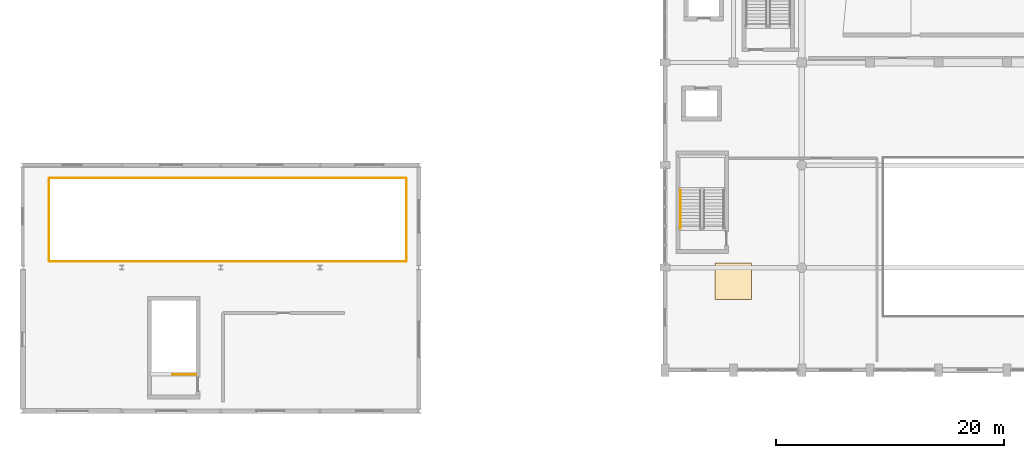
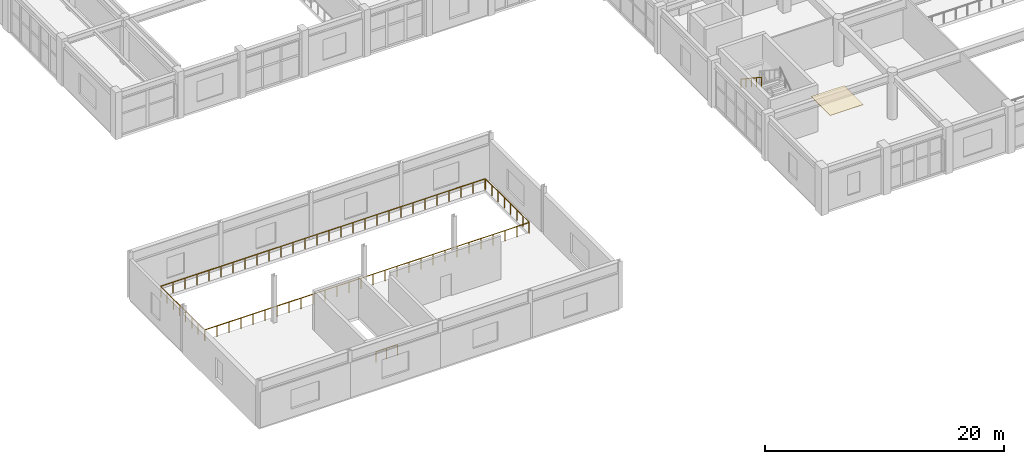
# One storey, part 83 of 96: 6 railings, 1 covering.
"""IFC4 building model written with IfcOpenShell, lengths in metres."""

from ifc_helpers import new_model, si_unit, direction, frame, origin, origin_2d, place, context, subcontext, project, spatial, polyline, circle, outline, extrude, material, layer, layer_set, type_object, element, save


model = new_model("IFC4")

# Units and contexts
model_context = context("Model", 3, precision=1e-05, world=origin(), true_north=direction((0.0, 1.0)))
body_context = subcontext(model_context, "Body", "Model", "MODEL_VIEW")
ifc_project = project(units=[si_unit("LENGTHUNIT", "METRE"), si_unit("AREAUNIT", "SQUARE_METRE"), si_unit("VOLUMEUNIT", "CUBIC_METRE"), si_unit("PLANEANGLEUNIT", "RADIAN"), si_unit("MASSUNIT", "GRAM", prefix="KILO")], contexts=[model_context])

# Site, building, storey
site_placement = place(None, origin())
site = spatial("IfcSite", under=ifc_project, at=site_placement, CompositionType="ELEMENT")
building_placement = place(site_placement, origin())
building = spatial("IfcBuilding", under=site, at=building_placement, Name="Vaelkrest Opera House", CompositionType="ELEMENT")
storey_placement = place(building_placement, frame((0.0, 0.0, 5.39990234375)))
storey = spatial("IfcBuildingStorey", under=building, at=storey_placement, Name="L01", CompositionType="ELEMENT", Elevation=5.39990234375)

# Covering
ifc_material_1 = material(Name="American black walnut acoustic timber", Category="wood")
ifc_layer = layer(ifc_material_1, 0.044921875)
ifc_layer_set = layer_set([ifc_layer], Name="American black walnut acoustic timber")
covering_type = type_object("IfcCoveringType", Name="COV-CLG01", PredefinedType="CEILING", material=ifc_layer_set)
covering_placement = place(storey_placement, frame((0.0, 0.0, 4.47021484375)))
element("IfcCovering", 1, at=covering_placement, inside=storey, type_object=covering_type, Name="Acoustic walnut ceiling reflector 05", PredefinedType="CEILING", context=body_context, shape_type="SweptSolid", body=[
    extrude(outline(polyline([(-25.60009765625, -49.60009765625), (-22.39990234375, -49.60009765625), (-22.39990234375, -46.39990234375), (-25.60009765625, -46.39990234375), (-25.60009765625, -49.60009765625)])), origin(), (0.0, 0.0, 1.0), 0.044921875),
])

# Railings
ifc_material_2 = material(Name="Dark bronze anodized aluminium", Category="aluminium")
railing_type_1 = type_object("IfcRailingType", Name="GR01", PredefinedType="GUARDRAIL", material=ifc_material_2)
railing_1_placement = place(storey_placement, frame((-84.0400390625, -46.280029296875, 0.0)))
element("IfcRailing", 2, at=railing_1_placement, inside=storey, type_object=railing_type_1, Name="Atrium/stage void guard V5 L01-1 seg 1", PredefinedType="GUARDRAIL", context=body_context, shape_type="SweptSolid", body=[
    extrude(circle(Radius=0.02392578125, at=origin_2d()), frame((0.0, 0.0, 1.076171875), z_axis=(1.0, 0.0, 0.0), x_axis=(0.0, 1.0, 0.0)), (0.0, 0.0, 1.0), 31.280029296875),
    extrude(circle(Radius=0.02099609375, at=origin_2d()), origin(), (0.0, 0.0, 1.0), 1.052001953125),
    extrude(circle(Radius=0.02099609375, at=origin_2d()), frame((1.158447265625, 0.0, 0.0)), (0.0, 0.0, 1.0), 1.052001953125),
    extrude(circle(Radius=0.02099609375, at=origin_2d()), frame((2.317138671875, 0.0, 0.0)), (0.0, 0.0, 1.0), 1.052001953125),
    extrude(circle(Radius=0.02099609375, at=origin_2d()), frame((3.4755859375, 0.0, 0.0)), (0.0, 0.0, 1.0), 1.052001953125),
    extrude(circle(Radius=0.02099609375, at=origin_2d()), frame((4.634033203125, 0.0, 0.0)), (0.0, 0.0, 1.0), 1.052001953125),
    extrude(circle(Radius=0.02099609375, at=origin_2d()), frame((5.79248046875, 0.0, 0.0)), (0.0, 0.0, 1.0), 1.052001953125),
    extrude(circle(Radius=0.02099609375, at=origin_2d()), frame((6.951171875, 0.0, 0.0)), (0.0, 0.0, 1.0), 1.052001953125),
    extrude(circle(Radius=0.02099609375, at=origin_2d()), frame((8.109619140625, 0.0, 0.0)), (0.0, 0.0, 1.0), 1.052001953125),
    extrude(circle(Radius=0.02099609375, at=origin_2d()), frame((9.26806640625, 0.0, 0.0)), (0.0, 0.0, 1.0), 1.052001953125),
    extrude(circle(Radius=0.02099609375, at=origin_2d()), frame((10.4267578125, 0.0, 0.0)), (0.0, 0.0, 1.0), 1.052001953125),
    extrude(circle(Radius=0.02099609375, at=origin_2d()), frame((11.585205078125, 0.0, 0.0)), (0.0, 0.0, 1.0), 1.052001953125),
    extrude(circle(Radius=0.02099609375, at=origin_2d()), frame((12.74365234375, 0.0, 0.0)), (0.0, 0.0, 1.0), 1.052001953125),
    extrude(circle(Radius=0.02099609375, at=origin_2d()), frame((13.90234375, 0.0, 0.0)), (0.0, 0.0, 1.0), 1.052001953125),
    extrude(circle(Radius=0.02099609375, at=origin_2d()), frame((15.060791015625, 0.0, 0.0)), (0.0, 0.0, 1.0), 1.052001953125),
    extrude(circle(Radius=0.02099609375, at=origin_2d()), frame((16.21923828125, 0.0, 0.0)), (0.0, 0.0, 1.0), 1.052001953125),
    extrude(circle(Radius=0.02099609375, at=origin_2d()), frame((17.377685546875, 0.0, 0.0)), (0.0, 0.0, 1.0), 1.052001953125),
    extrude(circle(Radius=0.02099609375, at=origin_2d()), frame((18.536376953125, 0.0, 0.0)), (0.0, 0.0, 1.0), 1.052001953125),
    extrude(circle(Radius=0.02099609375, at=origin_2d()), frame((19.69482421875, 0.0, 0.0)), (0.0, 0.0, 1.0), 1.052001953125),
    extrude(circle(Radius=0.02099609375, at=origin_2d()), frame((20.853271484375, 0.0, 0.0)), (0.0, 0.0, 1.0), 1.052001953125),
    extrude(circle(Radius=0.02099609375, at=origin_2d()), frame((22.011962890625, 0.0, 0.0)), (0.0, 0.0, 1.0), 1.052001953125),
    extrude(circle(Radius=0.02099609375, at=origin_2d()), frame((23.17041015625, 0.0, 0.0)), (0.0, 0.0, 1.0), 1.052001953125),
    extrude(circle(Radius=0.02099609375, at=origin_2d()), frame((24.328857421875, 0.0, 0.0)), (0.0, 0.0, 1.0), 1.052001953125),
    extrude(circle(Radius=0.02099609375, at=origin_2d()), frame((25.487548828125, 0.0, 0.0)), (0.0, 0.0, 1.0), 1.052001953125),
    extrude(circle(Radius=0.02099609375, at=origin_2d()), frame((26.64599609375, 0.0, 0.0)), (0.0, 0.0, 1.0), 1.052001953125),
    extrude(circle(Radius=0.02099609375, at=origin_2d()), frame((27.804443359375, 0.0, 0.0)), (0.0, 0.0, 1.0), 1.052001953125),
    extrude(circle(Radius=0.02099609375, at=origin_2d()), frame((28.962890625, 0.0, 0.0)), (0.0, 0.0, 1.0), 1.052001953125),
    extrude(circle(Radius=0.02099609375, at=origin_2d()), frame((30.12158203125, 0.0, 0.0)), (0.0, 0.0, 1.0), 1.052001953125),
    extrude(circle(Radius=0.02099609375, at=origin_2d()), frame((31.280029296875, 0.0, 0.0)), (0.0, 0.0, 1.0), 1.052001953125),
])
railing_2_placement = place(storey_placement, frame((-52.719970703125, -46.239990234375, 0.0)))
element("IfcRailing", 3, at=railing_2_placement, inside=storey, type_object=railing_type_1, Name="Atrium/stage void guard V5 L01-1 seg 2", PredefinedType="GUARDRAIL", context=body_context, shape_type="SweptSolid", body=[
    extrude(circle(Radius=0.02392578125, at=origin_2d()), frame((0.0, 0.0, 1.076171875), z_axis=(0.0, 1.0, 0.0), x_axis=(-1.0, 0.0, 0.0)), (0.0, 0.0, 1.0), 7.280029296875),
    extrude(circle(Radius=0.02099609375, at=origin_2d()), origin(), (0.0, 0.0, 1.0), 1.052001953125),
    extrude(circle(Radius=0.02099609375, at=origin_2d()), frame((0.0, 1.0400390625, 0.0)), (0.0, 0.0, 1.0), 1.052001953125),
    extrude(circle(Radius=0.02099609375, at=origin_2d()), frame((0.0, 2.080078125, 0.0)), (0.0, 0.0, 1.0), 1.052001953125),
    extrude(circle(Radius=0.02099609375, at=origin_2d()), frame((0.0, 3.1201171875, 0.0)), (0.0, 0.0, 1.0), 1.052001953125),
    extrude(circle(Radius=0.02099609375, at=origin_2d()), frame((0.0, 4.159912109375, 0.0)), (0.0, 0.0, 1.0), 1.052001953125),
    extrude(circle(Radius=0.02099609375, at=origin_2d()), frame((0.0, 5.199951171875, 0.0)), (0.0, 0.0, 1.0), 1.052001953125),
    extrude(circle(Radius=0.02099609375, at=origin_2d()), frame((0.0, 6.239990234375, 0.0)), (0.0, 0.0, 1.0), 1.052001953125),
    extrude(circle(Radius=0.02099609375, at=origin_2d()), frame((0.0, 7.280029296875, 0.0)), (0.0, 0.0, 1.0), 1.052001953125),
])
railing_3_placement = place(storey_placement, frame((-52.760009765625, -38.919921875, 0.0)))
element("IfcRailing", 4, at=railing_3_placement, inside=storey, type_object=railing_type_1, Name="Atrium/stage void guard V5 L01-1 seg 3", PredefinedType="GUARDRAIL", context=body_context, shape_type="SweptSolid", body=[
    extrude(circle(Radius=0.02392578125, at=origin_2d()), frame((0.0, 0.0, 1.076171875), z_axis=(-1.0, 0.0, 0.0), x_axis=(0.0, -1.0, 0.0)), (0.0, 0.0, 1.0), 31.280029296875),
    extrude(circle(Radius=0.02099609375, at=origin_2d()), origin(), (0.0, 0.0, 1.0), 1.052001953125),
    extrude(circle(Radius=0.02099609375, at=origin_2d()), frame((-1.158447265625, 0.0, 0.0)), (0.0, 0.0, 1.0), 1.052001953125),
    extrude(circle(Radius=0.02099609375, at=origin_2d()), frame((-2.317138671875, 0.0, 0.0)), (0.0, 0.0, 1.0), 1.052001953125),
    extrude(circle(Radius=0.02099609375, at=origin_2d()), frame((-3.4755859375, 0.0, 0.0)), (0.0, 0.0, 1.0), 1.052001953125),
    extrude(circle(Radius=0.02099609375, at=origin_2d()), frame((-4.634033203125, 0.0, 0.0)), (0.0, 0.0, 1.0), 1.052001953125),
    extrude(circle(Radius=0.02099609375, at=origin_2d()), frame((-5.79248046875, 0.0, 0.0)), (0.0, 0.0, 1.0), 1.052001953125),
    extrude(circle(Radius=0.02099609375, at=origin_2d()), frame((-6.951171875, 0.0, 0.0)), (0.0, 0.0, 1.0), 1.052001953125),
    extrude(circle(Radius=0.02099609375, at=origin_2d()), frame((-8.109619140625, 0.0, 0.0)), (0.0, 0.0, 1.0), 1.052001953125),
    extrude(circle(Radius=0.02099609375, at=origin_2d()), frame((-9.26806640625, 0.0, 0.0)), (0.0, 0.0, 1.0), 1.052001953125),
    extrude(circle(Radius=0.02099609375, at=origin_2d()), frame((-10.4267578125, 0.0, 0.0)), (0.0, 0.0, 1.0), 1.052001953125),
    extrude(circle(Radius=0.02099609375, at=origin_2d()), frame((-11.585205078125, 0.0, 0.0)), (0.0, 0.0, 1.0), 1.052001953125),
    extrude(circle(Radius=0.02099609375, at=origin_2d()), frame((-12.74365234375, 0.0, 0.0)), (0.0, 0.0, 1.0), 1.052001953125),
    extrude(circle(Radius=0.02099609375, at=origin_2d()), frame((-13.90234375, 0.0, 0.0)), (0.0, 0.0, 1.0), 1.052001953125),
    extrude(circle(Radius=0.02099609375, at=origin_2d()), frame((-15.060791015625, 0.0, 0.0)), (0.0, 0.0, 1.0), 1.052001953125),
    extrude(circle(Radius=0.02099609375, at=origin_2d()), frame((-16.21923828125, 0.0, 0.0)), (0.0, 0.0, 1.0), 1.052001953125),
    extrude(circle(Radius=0.02099609375, at=origin_2d()), frame((-17.377685546875, 0.0, 0.0)), (0.0, 0.0, 1.0), 1.052001953125),
    extrude(circle(Radius=0.02099609375, at=origin_2d()), frame((-18.536376953125, 0.0, 0.0)), (0.0, 0.0, 1.0), 1.052001953125),
    extrude(circle(Radius=0.02099609375, at=origin_2d()), frame((-19.69482421875, 0.0, 0.0)), (0.0, 0.0, 1.0), 1.052001953125),
    extrude(circle(Radius=0.02099609375, at=origin_2d()), frame((-20.853271484375, 0.0, 0.0)), (0.0, 0.0, 1.0), 1.052001953125),
    extrude(circle(Radius=0.02099609375, at=origin_2d()), frame((-22.011962890625, 0.0, 0.0)), (0.0, 0.0, 1.0), 1.052001953125),
    extrude(circle(Radius=0.02099609375, at=origin_2d()), frame((-23.17041015625, 0.0, 0.0)), (0.0, 0.0, 1.0), 1.052001953125),
    extrude(circle(Radius=0.02099609375, at=origin_2d()), frame((-24.328857421875, 0.0, 0.0)), (0.0, 0.0, 1.0), 1.052001953125),
    extrude(circle(Radius=0.02099609375, at=origin_2d()), frame((-25.487548828125, 0.0, 0.0)), (0.0, 0.0, 1.0), 1.052001953125),
    extrude(circle(Radius=0.02099609375, at=origin_2d()), frame((-26.64599609375, 0.0, 0.0)), (0.0, 0.0, 1.0), 1.052001953125),
    extrude(circle(Radius=0.02099609375, at=origin_2d()), frame((-27.804443359375, 0.0, 0.0)), (0.0, 0.0, 1.0), 1.052001953125),
    extrude(circle(Radius=0.02099609375, at=origin_2d()), frame((-28.962890625, 0.0, 0.0)), (0.0, 0.0, 1.0), 1.052001953125),
    extrude(circle(Radius=0.02099609375, at=origin_2d()), frame((-30.12158203125, 0.0, 0.0)), (0.0, 0.0, 1.0), 1.052001953125),
    extrude(circle(Radius=0.02099609375, at=origin_2d()), frame((-31.280029296875, 0.0, 0.0)), (0.0, 0.0, 1.0), 1.052001953125),
])
railing_4_placement = place(storey_placement, frame((-84.080078125, -38.9599609375, 0.0)))
element("IfcRailing", 5, at=railing_4_placement, inside=storey, type_object=railing_type_1, Name="Atrium/stage void guard V5 L01-1 seg 4", PredefinedType="GUARDRAIL", context=body_context, shape_type="SweptSolid", body=[
    extrude(circle(Radius=0.02392578125, at=origin_2d()), frame((0.0, 0.0, 1.076171875), z_axis=(0.0, -1.0, 0.0), x_axis=(1.0, 0.0, 0.0)), (0.0, 0.0, 1.0), 7.280029296875),
    extrude(circle(Radius=0.02099609375, at=origin_2d()), origin(), (0.0, 0.0, 1.0), 1.052001953125),
    extrude(circle(Radius=0.02099609375, at=origin_2d()), frame((0.0, -1.0400390625, 0.0)), (0.0, 0.0, 1.0), 1.052001953125),
    extrude(circle(Radius=0.02099609375, at=origin_2d()), frame((0.0, -2.080078125, 0.0)), (0.0, 0.0, 1.0), 1.052001953125),
    extrude(circle(Radius=0.02099609375, at=origin_2d()), frame((0.0, -3.1201171875, 0.0)), (0.0, 0.0, 1.0), 1.052001953125),
    extrude(circle(Radius=0.02099609375, at=origin_2d()), frame((0.0, -4.159912109375, 0.0)), (0.0, 0.0, 1.0), 1.052001953125),
    extrude(circle(Radius=0.02099609375, at=origin_2d()), frame((0.0, -5.199951171875, 0.0)), (0.0, 0.0, 1.0), 1.052001953125),
    extrude(circle(Radius=0.02099609375, at=origin_2d()), frame((0.0, -6.239990234375, 0.0)), (0.0, 0.0, 1.0), 1.052001953125),
    extrude(circle(Radius=0.02099609375, at=origin_2d()), frame((0.0, -7.280029296875, 0.0)), (0.0, 0.0, 1.0), 1.052001953125),
])
railing_type_2 = type_object("IfcRailingType", Name="GR02", PredefinedType="GUARDRAIL", material=ifc_material_2)
railing_5_placement = place(storey_placement, frame((-71.199951171875, -56.199951171875, 0.0)))
element("IfcRailing", 6, at=railing_5_placement, inside=storey, type_object=railing_type_2, Name="L01 ST11 top well guard 1", PredefinedType="GUARDRAIL", context=body_context, shape_type="SweptSolid", body=[
    extrude(circle(Radius=0.02392578125, at=origin_2d()), frame((0.0, 0.0, 1.076171875), z_axis=(-1.0, 0.0, 0.0), x_axis=(0.0, -1.0, 0.0)), (0.0, 0.0, 1.0), 2.050048828125),
    extrude(circle(Radius=0.02099609375, at=origin_2d()), origin(), (0.0, 0.0, 1.0), 1.052001953125),
    extrude(circle(Radius=0.02099609375, at=origin_2d()), frame((-1.02490234375, 0.0, 0.0)), (0.0, 0.0, 1.0), 1.052001953125),
    extrude(circle(Radius=0.02099609375, at=origin_2d()), frame((-2.050048828125, 0.0, 0.0)), (0.0, 0.0, 1.0), 1.052001953125),
])
railing_type_3 = type_object("IfcRailingType", Name="HR02", PredefinedType="HANDRAIL", material=ifc_material_2)
railing_6_placement = place(storey_placement, frame((-28.64990234375, -39.989990234375, 2.584716796875)))
element("IfcRailing", 7, at=railing_6_placement, inside=storey, type_object=railing_type_3, Name="L01 ST03 stair handrail 2", PredefinedType="HANDRAIL", context=body_context, shape_type="SweptSolid", body=[
    extrude(circle(Radius=0.02392578125, at=origin_2d()), frame((0.0, 0.0, 0.8759765625), z_axis=(0.0, -0.834876476806, 0.550437342915), x_axis=(1.0, 0.0, 0.0)), (0.0, 0.0, 1.0), 4.024658203125),
    extrude(circle(Radius=0.02099609375, at=origin_2d()), origin(), (0.0, 0.0, 1.0), 0.851806640625),
    extrude(circle(Radius=0.02099609375, at=origin_2d()), frame((0.0, -0.840087890625, 0.5537109375)), (0.0, 0.0, 1.0), 0.851806640625),
    extrude(circle(Radius=0.02099609375, at=origin_2d()), frame((0.0, -1.68017578125, 1.107666015625)), (0.0, 0.0, 1.0), 0.851806640625),
    extrude(circle(Radius=0.02099609375, at=origin_2d()), frame((0.0, -2.52001953125, 1.66162109375)), (0.0, 0.0, 1.0), 0.851806640625),
    extrude(circle(Radius=0.02099609375, at=origin_2d()), frame((0.0, -3.360107421875, 2.21533203125)), (0.0, 0.0, 1.0), 0.851806640625),
])

save(model, "model.ifc")
